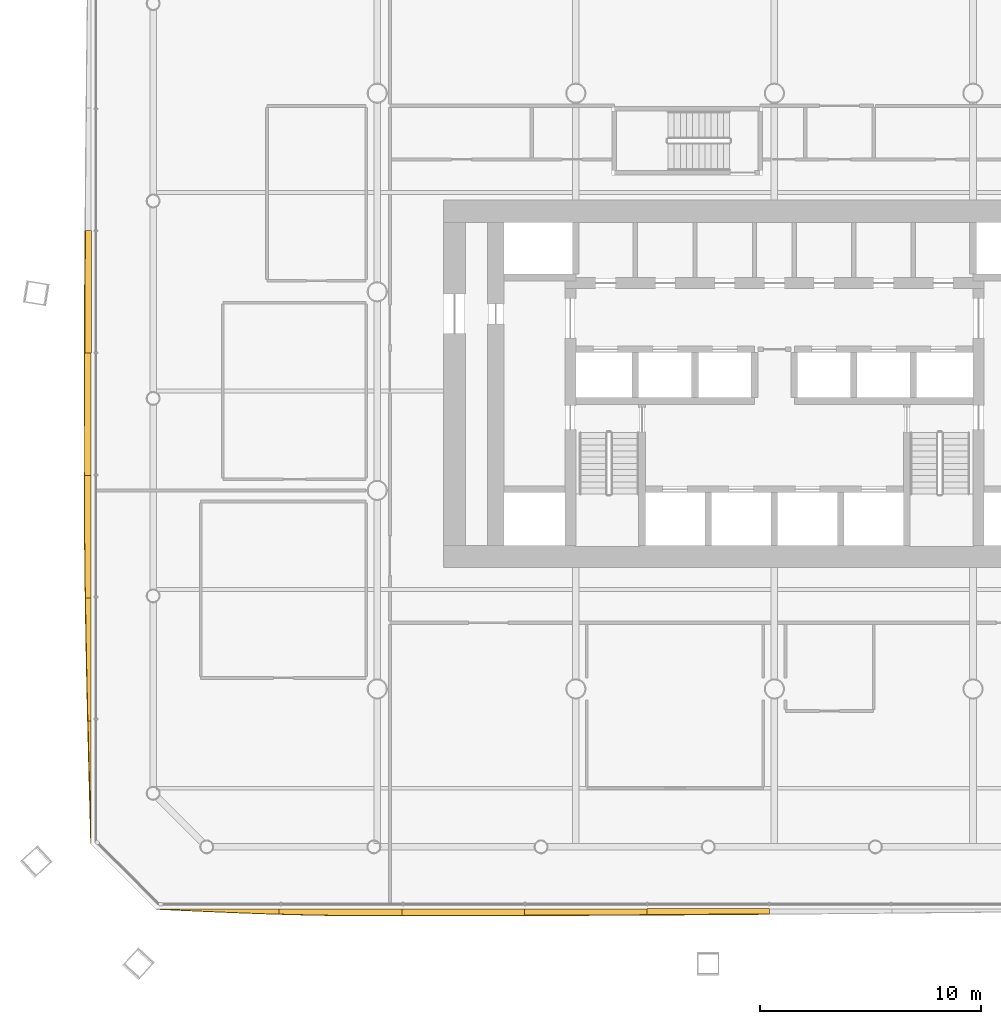
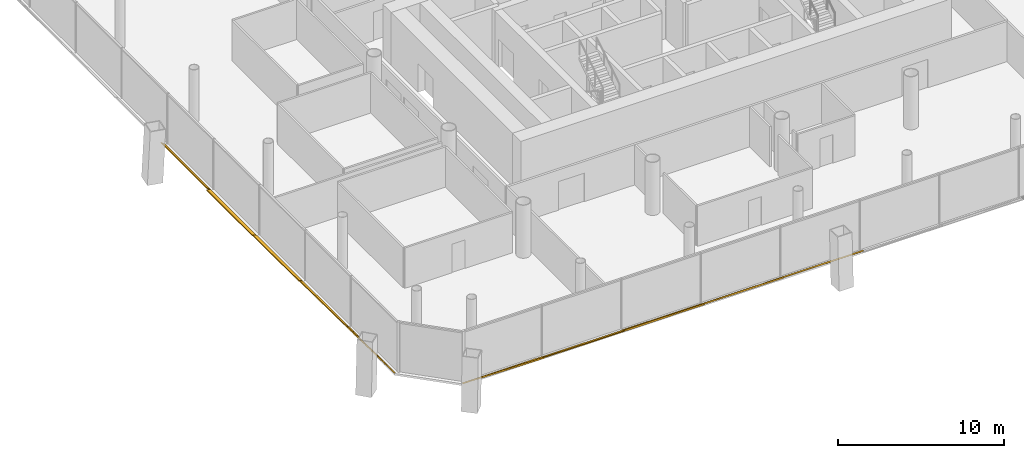
# One storey, part 18 of 22: 10 shading devices.
"""IFC4 building model written with IfcOpenShell, lengths in metres."""

from ifc_helpers import new_model, si_unit, direction, frame, origin, place, context, subcontext, project, spatial, polyline, outline, extrude, material, layer, layer_set, type_object, element, save


model = new_model("IFC4")

# Units and contexts
model_context = context("Model", 3, precision=1e-05, world=origin(), true_north=direction((0.0, 1.0)))
body_context = subcontext(model_context, "Body", "Model", "MODEL_VIEW")
ifc_project = project(units=[si_unit("LENGTHUNIT", "METRE"), si_unit("AREAUNIT", "SQUARE_METRE"), si_unit("VOLUMEUNIT", "CUBIC_METRE"), si_unit("PLANEANGLEUNIT", "RADIAN"), si_unit("MASSUNIT", "GRAM", prefix="KILO")], contexts=[model_context])

# Site, building, storey
site_placement = place(None, origin())
site = spatial("IfcSite", under=ifc_project, at=site_placement, CompositionType="ELEMENT")
building_placement = place(site_placement, origin())
building = spatial("IfcBuilding", under=site, at=building_placement, Name="Tskaro Facet Tower", CompositionType="ELEMENT")
storey_placement = place(building_placement, frame((0.0, 0.0, 18.60009765625)))
storey = spatial("IfcBuildingStorey", under=building, at=storey_placement, Name="L03", CompositionType="ELEMENT", Elevation=18.60009765625)

# Shading devices
ifc_material = material(Name="Bronze anodised aluminium 6063-T6", Category="aluminium")
ifc_layer = layer(ifc_material, 0.06005859375, Name="Bronze anodised aluminium 6063-T6")
ifc_layer_set = layer_set([ifc_layer], Name="Bronze anodised aluminium 6063-T6")
shading_device_type = type_object("IfcShadingDeviceType", Name="Bronze sun blade (FN1)", PredefinedType="USERDEFINED", material=ifc_layer_set)
shading_device_1_placement = place(storey_placement, frame((-28.0, -27.9794921875, 0.056396484375), z_axis=(-1.0604543e-05, 0.341405087388, 0.939916254883), x_axis=(0.999999999944, 3.620445e-06, 9.967382e-06)))
element("IfcShadingDevice", 1, at=shading_device_1_placement, inside=storey, type_object=shading_device_type, Name="Fin blade south 1", ObjectType="FIN", PredefinedType="USERDEFINED", context=body_context, shape_type="SweptSolid", body=[
    extrude(outline(polyline([(0.0, 0.0), (5.555664062187615, -2.3529152524070872e-21), (5.555664062677382, -0.24443890033882357), (4.861083984722509, -0.22080639372661837), (4.166748047381724, -0.19431629454753757), (3.4721679700707044, -0.16551089713685432), (2.777832032271626, -0.13484914497842407), (2.083251951850618, -0.10256050981417447), (1.3889160140406425, -0.06904116508886865), (0.6943359358239305, -0.03475005428636202), (0.0, 0.0)])), origin(), (0.0, 0.0, -1.0), 0.06005859375),
])
shading_device_2_placement = place(storey_placement, frame((-22.4443359375, -27.974609375, 0.05419921875), z_axis=(-5.54032e-07, 0.422828306265, 0.906209812031), x_axis=(1.0, 2.3426e-07, 5.02069e-07)))
element("IfcShadingDevice", 2, at=shading_device_2_placement, inside=storey, type_object=shading_device_type, Name="Fin blade south 2", ObjectType="FIN", PredefinedType="USERDEFINED", context=body_context, shape_type="SweptSolid", body=[
    extrude(outline(polyline([(0.0, 0.0), (5.555419921874147, 0.0), (5.5554199218775375, -0.3308364913729944), (4.861083984320452, -0.33105773400288463), (4.444335937445516, -0.33105773400288463), (4.166503906252751, -0.3308364913729944), (3.4721679687609064, -0.3273409597826644), (2.777587890643921, -0.3198041817752645), (2.0832519530946016, -0.30844739998068493), (1.3886718750509077, -0.29369831616273473), (0.6943359375176872, -0.2753504711874952), (-7.483854238517347e-12, -0.2535070946219258), (0.0, 0.0)])), origin(), (0.0, 0.0, -1.0), 0.06005859375),
])
shading_device_3_placement = place(storey_placement, frame((-16.888916015625, -27.969970703125, 0.0517578125), z_axis=(-1.2808353e-05, 0.500110223123, 0.865961756987), x_axis=(0.999999999918, 6.405588e-06, 1.1091543e-05)))
element("IfcShadingDevice", 3, at=shading_device_3_placement, inside=storey, type_object=shading_device_type, Name="Fin blade south 3", ObjectType="FIN", PredefinedType="USERDEFINED", context=body_context, shape_type="SweptSolid", body=[
    extrude(outline(polyline([(0.0, 0.0), (5.555664062044286, 0.0), (5.555664063354298, -0.33471001433551384), (4.861083983606943, -0.3368897347820762), (4.166748047192465, -0.3391915524510907), (3.4721679678649426, -0.3408263427860124), (2.777832031870297, -0.3425832303433864), (2.083251952962607, -0.34367309056666756), (1.3889160146798971, -0.3447629507899487), (0.6945800779610509, -0.3456413945686357), (-5.26806950701177e-10, -0.34618632468027627), (0.0, 0.0)])), origin(), (0.0, 0.0, -1.0), 0.06005859375),
])
shading_device_4_placement = place(storey_placement, frame((-11.333251953125, -27.965576171875, 0.049072265625), z_axis=(8.81878e-07, 0.573615656885, 0.819124580376), x_axis=(1.0, -5.05859e-07, -7.22368e-07)))
element("IfcShadingDevice", 4, at=shading_device_4_placement, inside=storey, type_object=shading_device_type, Name="Fin blade south 4", ObjectType="FIN", PredefinedType="USERDEFINED", context=body_context, shape_type="SweptSolid", body=[
    extrude(outline(polyline([(0.0, 0.0), (5.55541992187284, -2.9410148185381476e-22), (5.555419921926453, -0.3248326510774534), (4.861083984339281, -0.3293728466173404), (4.166503906179968, -0.33357301768523984), (3.4721679688220135, -0.3376331458681575), (2.7775878905920584, -0.3412933108770635), (2.083251953163462, -0.3448134330009877), (1.3889160156113654, -0.3481335735379061), (0.6943359374871273, -0.35111368960283684), (4.0747787597732844e-11, -0.35375378119578), (0.0, 0.0)])), origin(), (0.0, 0.0, -1.0), 0.06005859375),
])
shading_device_5_placement = place(storey_placement, frame((-5.77783203125, -27.96142578125, 0.0458984375), z_axis=(-1.5634661e-05, 0.642624716652, 0.766181096937), x_axis=(0.999999999878, 1.0047219e-05, 1.1978981e-05)))
element("IfcShadingDevice", 5, at=shading_device_5_placement, inside=storey, type_object=shading_device_type, Name="Fin blade south 5", ObjectType="FIN", PredefinedType="USERDEFINED", context=body_context, shape_type="SweptSolid", body=[
    extrude(outline(polyline([(0.0, 0.0), (5.55566406182098, 0.0), (5.555664064008947, -0.29996336389719447), (4.861083981721736, -0.30674573799853533), (4.166748047889918, -0.31331089103607473), (3.4721679675840185, -0.31956226247364805), (2.7778320303560227, -0.32562657797932915), (2.0834960926564063, -0.33134694675313503), (1.388916016784754, -0.3368802595950486), (0.6945800786135158, -0.34225668163697914), (-6.543141716515721e-10, -0.34728915694703444), (0.0, 0.0)])), origin(), (0.0, 0.0, -1.0), 0.06005859375),
])
shading_device_6_placement = place(storey_placement, frame((-30.96142578125, 2.77783203125, 0.0458984375), z_axis=(0.642685087731, -2.571838e-06, 0.76613045756), x_axis=(-1.652882e-06, -0.999999999997, -1.970363e-06)))
element("IfcShadingDevice", 6, at=shading_device_6_placement, inside=storey, type_object=shading_device_type, Name="Fin blade west 5", ObjectType="FIN", PredefinedType="USERDEFINED", context=body_context, shape_type="SweptSolid", body=[
    extrude(outline(polyline([(0.0, 0.0), (5.555664062481626, -1.1764576262035436e-21), (5.555664062543832, -0.38142431293622847), (4.8610839842341385, -0.37829863293684046), (4.166748047108, -0.3746720982907167), (3.4721679685497926, -0.37067147650711124), (2.777832031175139, -0.36617000007677003), (2.083496093877996, -0.36132457453869055), (1.3889160156298277, -0.3559481563241319), (0.6945800780841691, -0.35022778900183504), (-8.97870165510414e-12, -0.3441634725717998), (0.0, 0.0)])), origin(), (0.0, 0.0, -1.0), 0.06005859375),
])
shading_device_7_placement = place(storey_placement, frame((-30.9794921875, -2.77783203125, 0.056396484375), z_axis=(0.341728366986, 1.710264e-05, 0.939798767239), x_axis=(5.844457e-06, -0.999999999854, 1.607304e-05)))
element("IfcShadingDevice", 7, at=shading_device_7_placement, inside=storey, type_object=shading_device_type, Name="Fin blade west 6", ObjectType="FIN", PredefinedType="USERDEFINED", context=body_context, shape_type="SweptSolid", body=[
    extrude(outline(polyline([(0.0, 0.0), (5.555419921062519, -4.705623709661036e-21), (5.555419923288037, -0.3182774271813007), (4.861083984106187, -0.3192786291921755), (4.722167968501504, -0.3192786291921755), (4.166503907509639, -0.31904918613373384), (3.472167967613973, -0.31873631329818386), (2.7778320319989156, -0.317735111287309), (2.0832519518348116, -0.3166504794993259), (1.3889160151494113, -0.31510696159445956), (0.6943359353418336, -0.3132505708540431), (-9.870408203936224e-10, -0.31093529399674363), (0.0, 0.0)])), origin(), (0.0, 0.0, -1.0), 0.06005859375),
])
shading_device_8_placement = place(storey_placement, frame((-30.974609375, -8.333251953125, 0.05419921875), z_axis=(0.422831653928, 9.588573e-06, 0.906208249987), x_axis=(4.054352e-06, -0.999999999954, 8.689244e-06)))
element("IfcShadingDevice", 8, at=shading_device_8_placement, inside=storey, type_object=shading_device_type, Name="Fin blade west 7", ObjectType="FIN", PredefinedType="USERDEFINED", context=body_context, shape_type="SweptSolid", body=[
    extrude(outline(polyline([(0.0, 0.0), (5.555664062244604, -4.7058305048141744e-21), (5.5556640632514736, -0.2780790457110061), (4.861083983750275, -0.28878688256945373), (4.1667480477018275, -0.2982852778009262), (3.4724121092485167, -0.30658901288543633), (2.77783202988675, -0.31380131820724877), (2.0834960939777356, -0.31980418190208604), (1.3889160150388677, -0.324612385449961), (0.6945800784211862, -0.32788667473805405), (-9.478248618836713e-11, -0.33029077651199157), (0.0, 0.0)])), origin(), (0.0, 0.0, -1.0), 0.06005859375),
])
shading_device_9_placement = place(storey_placement, frame((-30.969970703125, -13.888916015625, 0.0517578125), z_axis=(0.500375724007, 1.3137387e-05, 0.865808370629), x_axis=(6.57363e-06, -0.999999999914, 1.137446e-05)))
element("IfcShadingDevice", 9, at=shading_device_9_placement, inside=storey, type_object=shading_device_type, Name="Fin blade west 8", ObjectType="FIN", PredefinedType="USERDEFINED", context=body_context, shape_type="SweptSolid", body=[
    extrude(outline(polyline([(0.0, 0.0), (5.555419921395592, 0.0), (5.555419921889271, -0.16582594437281784), (4.86108398405122, -0.18441911575474562), (4.166748048250872, -0.20225598810440723), (3.472167969481388, -0.21942577837655206), (2.7778320305976187, -0.23571710757442627), (2.083251951954494, -0.25091859670127586), (1.388916015974052, -0.26536378679585926), (0.6943359358523973, -0.27880835377416757), (-1.1737635845167855e-09, -0.2909517016846974), (0.0, 0.0)])), origin(), (0.0, 0.0, -1.0), 0.06005859375),
])
shading_device_10_placement = place(storey_placement, frame((-30.965576171875, -19.4443359375, 0.049072265625), z_axis=(0.573576858668, 2.5557445e-05, 0.819151748181), x_axis=(1.4659159e-05, -0.999999999673, 2.0935426e-05)))
element("IfcShadingDevice", 10, at=shading_device_10_placement, inside=storey, type_object=shading_device_type, Name="Fin blade west 9", ObjectType="FIN", PredefinedType="USERDEFINED", context=body_context, shape_type="SweptSolid", body=[
    extrude(outline(polyline([(0.0, 0.0), (5.555664060685567, 0.0), (4.861328123841469, -0.022960897218919668), (4.166748044840158, -0.045581772805196895), (3.472412110042664, -0.06800266017163813), (2.777832029509062, -0.09028351412527291), (2.0834960931792765, -0.1123643798590717), (1.388916013159987, -0.1337652023275856), (0.6945800809234105, -0.15476604835642754), (-3.6927537612318277e-09, -0.17514680592701415), (0.0, 0.0)])), origin(), (0.0, 0.0, -1.0), 0.06005859375),
])

save(model, "model.ifc")
